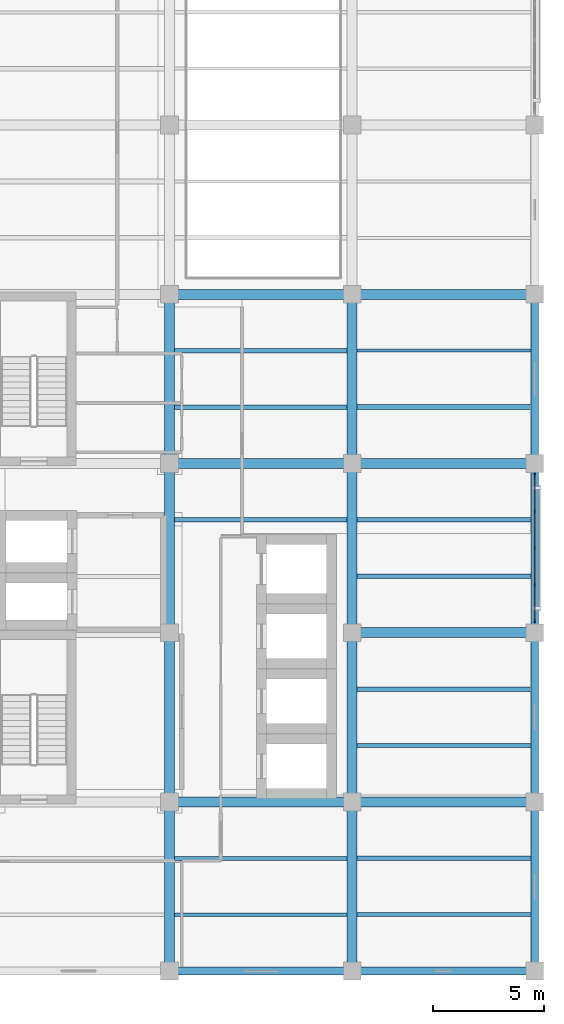
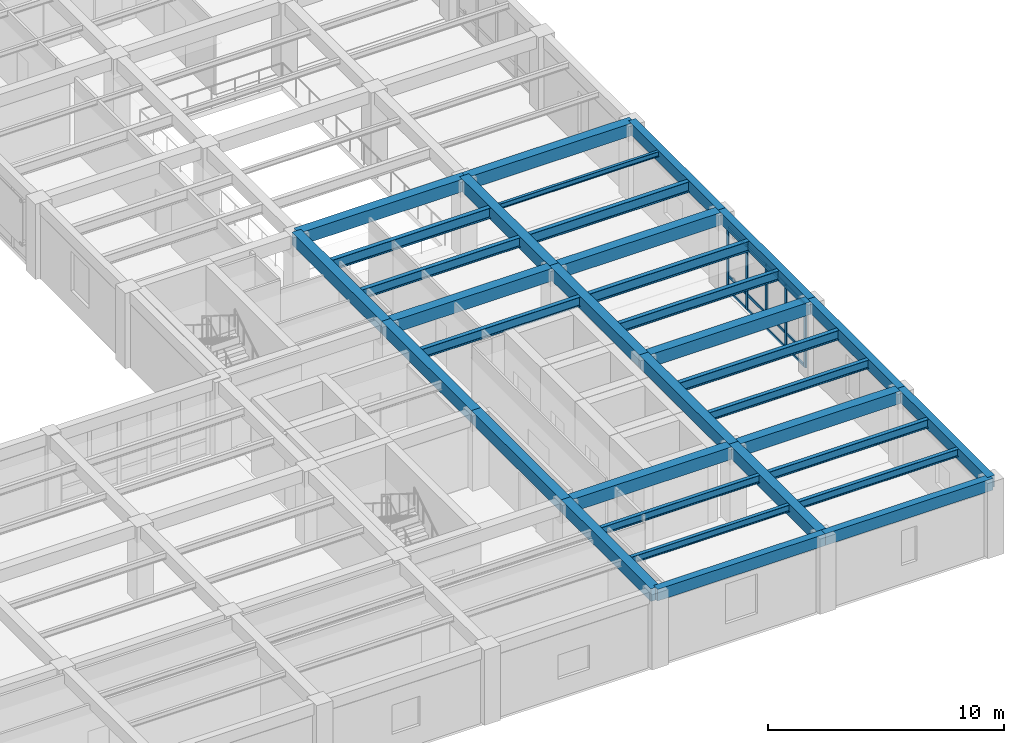
# One storey, part 3 of 15: 34 beams, 17 members, 1 element without a shape of its own.
"""IFC4 building model written with IfcOpenShell, lengths in metres."""

from ifc_helpers import new_model, si_unit, direction, frame, origin, origin_2d, place, context, subcontext, project, spatial, rectangle, i_section, extrude, material, material_profile, profile_set, type_object, element, aggregate, save


model = new_model("IFC4")

# Units and contexts
model_context = context("Model", 3, precision=1e-05, world=origin(), true_north=direction((0.0, 1.0)))
body_context = subcontext(model_context, "Body", "Model", "MODEL_VIEW")
ifc_project = project(units=[si_unit("LENGTHUNIT", "METRE"), si_unit("AREAUNIT", "SQUARE_METRE"), si_unit("VOLUMEUNIT", "CUBIC_METRE"), si_unit("PLANEANGLEUNIT", "RADIAN"), si_unit("MASSUNIT", "GRAM", prefix="KILO")], contexts=[model_context])

# Site, building, storey
site_placement = place(None, origin())
site = spatial("IfcSite", under=ifc_project, at=site_placement, CompositionType="ELEMENT")
building_placement = place(site_placement, origin())
building = spatial("IfcBuilding", under=site, at=building_placement, Name="Qandaris Square Conservatory and Botanical Centre", CompositionType="ELEMENT")
storey_placement = place(building_placement, frame((0.0, 0.0, 32.39990234375)))
storey = spatial("IfcBuildingStorey", under=building, at=storey_placement, Name="L07", CompositionType="ELEMENT", Elevation=32.39990234375)

# Beams
ifc_material_1 = material(Name="Steel S355", Category="steel")
ifc_material_profile_1 = material_profile(ifc_material_1, i_section(OverallWidth=0.18994140625, OverallDepth=0.449951171875, WebThickness=0.009521484375, FlangeThickness=0.0146484375, FilletRadius=0.02099609375, at=origin_2d()), Name="IPE 450")
ifc_profile_set_1 = profile_set([ifc_material_profile_1], Name="Steel S355")
beam_type_1 = type_object("IfcBeamType", Name="Composite Archive Joist IPE 450", PredefinedType="JOIST", material=ifc_profile_set_1)
for number, where, z_axis, x_axis, name in (
    (1, (155.824951171875, 21.666748046875, 3.655029296875), (1.0, 0.0, 0.0), (0.0, 1.0, 0.0), "L07 Composite Joist 2197"),
    (2, (155.824951171875, 26.7333984375, 3.655029296875), (1.0, 0.0, 0.0), (0.0, 1.0, 0.0), "L07 Composite Joist 2198"),
):
    element("IfcBeam", number, at=place(storey_placement, frame(where, z_axis=z_axis, x_axis=x_axis)), inside=storey, type_object=beam_type_1, Name=name, PredefinedType="JOIST", context=body_context, shape_type="SweptSolid", body=[
        extrude(i_section(OverallWidth=0.18994140625, OverallDepth=0.449951171875, WebThickness=0.009521484375, FlangeThickness=0.0146484375, FilletRadius=0.02099609375, at=origin_2d()), origin(), (0.0, 0.0, 1.0), 7.800048828125),
    ])
ifc_material_profile_2 = material_profile(ifc_material_1, i_section(OverallWidth=0.199951171875, OverallDepth=0.5, WebThickness=0.01025390625, FlangeThickness=0.01611328125, FilletRadius=0.02099609375, at=origin_2d()), Name="IPE 500")
ifc_profile_set_2 = profile_set([ifc_material_profile_2], Name="Steel S355")
beam_type_2 = type_object("IfcBeamType", Name="Composite Gallery Joist IPE 500", PredefinedType="JOIST", material=ifc_profile_set_2)
for number, where, z_axis, x_axis, name in (
    (3, (147.625, 36.86669921875, 3.630126953125), (1.0, 0.0, 0.0), (0.0, 1.0, 0.0), "L07 Composite Joist 2187"),
    (4, (147.625, 41.933349609375, 3.630126953125), (1.0, 0.0, 0.0), (0.0, 1.0, 0.0), "L07 Composite Joist 2188"),
):
    element("IfcBeam", number, at=place(storey_placement, frame(where, z_axis=z_axis, x_axis=x_axis)), inside=storey, type_object=beam_type_2, Name=name, PredefinedType="JOIST", context=body_context, shape_type="SweptSolid", body=[
        extrude(i_section(OverallWidth=0.199951171875, OverallDepth=0.5, WebThickness=0.01025390625, FlangeThickness=0.01611328125, FilletRadius=0.02099609375, at=origin_2d()), origin(), (0.0, 0.0, 1.0), 7.75),
    ])
for number, where, z_axis, x_axis, name in (
    (5, (155.824951171875, 29.2666015625, 3.630126953125), (1.0, 0.0, 0.0), (0.0, 1.0, 0.0), "L07 Composite Joist 2199"),
    (6, (155.824951171875, 34.333251953125, 3.630126953125), (1.0, 0.0, 0.0), (0.0, 1.0, 0.0), "L07 Composite Joist 2200"),
):
    element("IfcBeam", number, at=place(storey_placement, frame(where, z_axis=z_axis, x_axis=x_axis)), inside=storey, type_object=beam_type_2, Name=name, PredefinedType="JOIST", context=body_context, shape_type="SweptSolid", body=[
        extrude(i_section(OverallWidth=0.199951171875, OverallDepth=0.5, WebThickness=0.01025390625, FlangeThickness=0.01611328125, FilletRadius=0.02099609375, at=origin_2d()), origin(), (0.0, 0.0, 1.0), 7.800048828125),
    ])
ifc_material_profile_3 = material_profile(ifc_material_1, i_section(OverallWidth=0.169921875, OverallDepth=0.360107421875, WebThickness=0.008056640625, FlangeThickness=0.0126953125, FilletRadius=0.01806640625, at=origin_2d()), Name="IPE 360")
ifc_profile_set_3 = profile_set([ifc_material_profile_3], Name="Steel S355")
beam_type_3 = type_object("IfcBeamType", Name="Composite Lab Joist IPE 360", PredefinedType="JOIST", material=ifc_profile_set_3)
beam_1_placement = place(storey_placement, frame((147.625, 19.13330078125, 3.7001953125), z_axis=(1.0, 0.0, 0.0), x_axis=(0.0, 1.0, 0.0)))
element("IfcBeam", 7, at=beam_1_placement, inside=storey, type_object=beam_type_3, Name="L07 Composite Joist 2185", PredefinedType="JOIST", context=body_context, shape_type="SweptSolid", body=[
    extrude(i_section(OverallWidth=0.169921875, OverallDepth=0.360107421875, WebThickness=0.008056640625, FlangeThickness=0.0126953125, FilletRadius=0.01806640625, at=origin_2d()), origin(), (0.0, 0.0, 1.0), 7.75),
])
ifc_material_profile_4 = material_profile(ifc_material_1, i_section(OverallWidth=0.179931640625, OverallDepth=0.39990234375, WebThickness=0.008544921875, FlangeThickness=0.013427734375, FilletRadius=0.02099609375, at=origin_2d()), Name="IPE 400")
ifc_profile_set_4 = profile_set([ifc_material_profile_4], Name="Steel S355")
beam_type_4 = type_object("IfcBeamType", Name="Composite Plinth Joist IPE 400", PredefinedType="JOIST", material=ifc_profile_set_4)
beam_2_placement = place(storey_placement, frame((147.625, 21.666748046875, 3.68017578125), z_axis=(1.0, 0.0, 0.0), x_axis=(0.0, 1.0, 0.0)))
element("IfcBeam", 8, at=beam_2_placement, inside=storey, type_object=beam_type_4, Name="L07 Composite Joist 2186", PredefinedType="JOIST", context=body_context, shape_type="SweptSolid", body=[
    extrude(i_section(OverallWidth=0.179931640625, OverallDepth=0.39990234375, WebThickness=0.008544921875, FlangeThickness=0.013427734375, FilletRadius=0.02099609375, at=origin_2d()), origin(), (0.0, 0.0, 1.0), 7.75),
])
beam_3_placement = place(storey_placement, frame((155.824951171875, 19.13330078125, 3.68017578125), z_axis=(1.0, 0.0, 0.0), x_axis=(0.0, 1.0, 0.0)))
element("IfcBeam", 9, at=beam_3_placement, inside=storey, type_object=beam_type_4, Name="L07 Composite Joist 2196", PredefinedType="JOIST", context=body_context, shape_type="SweptSolid", body=[
    extrude(i_section(OverallWidth=0.179931640625, OverallDepth=0.39990234375, WebThickness=0.008544921875, FlangeThickness=0.013427734375, FilletRadius=0.02099609375, at=origin_2d()), origin(), (0.0, 0.0, 1.0), 7.800048828125),
])

# Curtain wall, members
ifc_material_2 = material(Name="Anodised Aluminium", Category="aluminium")
curtain_wall_type = type_object("IfcCurtainWallType", Name="Unitised Curtain Wall CW-4-660x329", PredefinedType="USERDEFINED", material=ifc_material_2)
curtain_wall_placement = place(storey_placement, origin())
curtain_wall = element("IfcCurtainWall", 10, at=curtain_wall_placement, inside=storey, type_object=curtain_wall_type, Name="Curtain Wall CW-TWR-L07-2-3", ObjectType="GLAZED CURTAIN WALL", PredefinedType="USERDEFINED")
ifc_material_profile_5 = material_profile(ifc_material_2, rectangle(XDim=0.06494140625, YDim=0.179931640625, at=origin_2d()), Name="ALU-MUL 65x180")
ifc_profile_set_5 = profile_set([ifc_material_profile_5], Name="Anodised Aluminium")
member_type_1 = type_object("IfcMemberType", Name="Curtain Wall Mullion 65x180", PredefinedType="MULLION", material=ifc_profile_set_5)
member_1_placement = place(storey_placement, frame((163.800048828125, 32.33251953125, 0.0), z_axis=(0.0, 0.0, 1.0), x_axis=(-1.0, 0.0, 0.0)))
member_1 = element("IfcMember", 11, at=member_1_placement, type_object=member_type_1, Name="CW-4-660x329 mullion 1", PredefinedType="MULLION", context=body_context, shape_type="SweptSolid", body=[
    extrude(rectangle(XDim=0.06494140625, YDim=0.179931640625, at=origin_2d()), origin(), (0.0, 0.0, 1.0), 3.2900390625),
])
member_2_placement = place(storey_placement, frame((163.800048828125, 33.949951171875, 0.0), z_axis=(0.0, 0.0, 1.0), x_axis=(-1.0, 0.0, 0.0)))
member_2 = element("IfcMember", 12, at=member_2_placement, type_object=member_type_1, Name="CW-4-660x329 mullion 2", PredefinedType="MULLION", context=body_context, shape_type="SweptSolid", body=[
    extrude(rectangle(XDim=0.06494140625, YDim=0.179931640625, at=origin_2d()), origin(), (0.0, 0.0, 1.0), 3.2900390625),
])
member_3_placement = place(storey_placement, frame((163.800048828125, 35.60009765625, 0.0), z_axis=(0.0, 0.0, 1.0), x_axis=(-1.0, 0.0, 0.0)))
member_3 = element("IfcMember", 13, at=member_3_placement, type_object=member_type_1, Name="CW-4-660x329 mullion 3", PredefinedType="MULLION", context=body_context, shape_type="SweptSolid", body=[
    extrude(rectangle(XDim=0.06494140625, YDim=0.179931640625, at=origin_2d()), origin(), (0.0, 0.0, 1.0), 3.2900390625),
])
member_4_placement = place(storey_placement, frame((163.800048828125, 37.25, 0.0), z_axis=(0.0, 0.0, 1.0), x_axis=(-1.0, 0.0, 0.0)))
member_4 = element("IfcMember", 14, at=member_4_placement, type_object=member_type_1, Name="CW-4-660x329 mullion 4", PredefinedType="MULLION", context=body_context, shape_type="SweptSolid", body=[
    extrude(rectangle(XDim=0.06494140625, YDim=0.179931640625, at=origin_2d()), origin(), (0.0, 0.0, 1.0), 3.2900390625),
])
member_5_placement = place(storey_placement, frame((163.800048828125, 38.867431640625, 0.0), z_axis=(0.0, 0.0, 1.0), x_axis=(-1.0, 0.0, 0.0)))
member_5 = element("IfcMember", 15, at=member_5_placement, type_object=member_type_1, Name="CW-4-660x329 mullion 5", PredefinedType="MULLION", context=body_context, shape_type="SweptSolid", body=[
    extrude(rectangle(XDim=0.06494140625, YDim=0.179931640625, at=origin_2d()), origin(), (0.0, 0.0, 1.0), 3.2900390625),
])
ifc_material_profile_6 = material_profile(ifc_material_2, rectangle(XDim=0.06494140625, YDim=0.139892578125, at=origin_2d()), Name="ALU-TRN 65x140")
ifc_profile_set_6 = profile_set([ifc_material_profile_6], Name="Anodised Aluminium")
member_type_2 = type_object("IfcMemberType", Name="Curtain Wall Transom 65x140", PredefinedType="USERDEFINED", material=ifc_profile_set_6)
member_6_placement = place(storey_placement, frame((163.800048828125, 32.364990234375, 0.03271484375), z_axis=(0.0, 1.0, 0.0), x_axis=(-1.0, 0.0, 0.0)))
member_6 = element("IfcMember", 16, at=member_6_placement, type_object=member_type_2, Name="CW-4-660x329 transom 1.1", ObjectType="TRANSOM", PredefinedType="USERDEFINED", context=body_context, shape_type="SweptSolid", body=[
    extrude(rectangle(XDim=0.06494140625, YDim=0.139892578125, at=origin_2d()), origin(), (0.0, 0.0, 1.0), 1.552490234375),
])
member_7_placement = place(storey_placement, frame((163.800048828125, 32.364990234375, 0.789794921875), z_axis=(0.0, 1.0, 0.0), x_axis=(-1.0, 0.0, 0.0)))
member_7 = element("IfcMember", 17, at=member_7_placement, type_object=member_type_2, Name="CW-4-660x329 transom 1.2", ObjectType="TRANSOM", PredefinedType="USERDEFINED", context=body_context, shape_type="SweptSolid", body=[
    extrude(rectangle(XDim=0.06494140625, YDim=0.139892578125, at=origin_2d()), origin(), (0.0, 0.0, 1.0), 1.552490234375),
])
member_8_placement = place(storey_placement, frame((163.800048828125, 32.364990234375, 3.257568359375), z_axis=(0.0, 1.0, 0.0), x_axis=(-1.0, 0.0, 0.0)))
member_8 = element("IfcMember", 18, at=member_8_placement, type_object=member_type_2, Name="CW-4-660x329 transom 1.3", ObjectType="TRANSOM", PredefinedType="USERDEFINED", context=body_context, shape_type="SweptSolid", body=[
    extrude(rectangle(XDim=0.06494140625, YDim=0.139892578125, at=origin_2d()), origin(), (0.0, 0.0, 1.0), 1.552490234375),
])
member_9_placement = place(storey_placement, frame((163.800048828125, 33.982421875, 0.03271484375), z_axis=(0.0, 1.0, 0.0), x_axis=(-1.0, 0.0, 0.0)))
member_9 = element("IfcMember", 19, at=member_9_placement, type_object=member_type_2, Name="CW-4-660x329 transom 2.1", ObjectType="TRANSOM", PredefinedType="USERDEFINED", context=body_context, shape_type="SweptSolid", body=[
    extrude(rectangle(XDim=0.06494140625, YDim=0.139892578125, at=origin_2d()), origin(), (0.0, 0.0, 1.0), 1.5849609375),
])
member_10_placement = place(storey_placement, frame((163.800048828125, 33.982421875, 0.789794921875), z_axis=(0.0, 1.0, 0.0), x_axis=(-1.0, 0.0, 0.0)))
member_10 = element("IfcMember", 20, at=member_10_placement, type_object=member_type_2, Name="CW-4-660x329 transom 2.2", ObjectType="TRANSOM", PredefinedType="USERDEFINED", context=body_context, shape_type="SweptSolid", body=[
    extrude(rectangle(XDim=0.06494140625, YDim=0.139892578125, at=origin_2d()), origin(), (0.0, 0.0, 1.0), 1.5849609375),
])
member_11_placement = place(storey_placement, frame((163.800048828125, 33.982421875, 3.257568359375), z_axis=(0.0, 1.0, 0.0), x_axis=(-1.0, 0.0, 0.0)))
member_11 = element("IfcMember", 21, at=member_11_placement, type_object=member_type_2, Name="CW-4-660x329 transom 2.3", ObjectType="TRANSOM", PredefinedType="USERDEFINED", context=body_context, shape_type="SweptSolid", body=[
    extrude(rectangle(XDim=0.06494140625, YDim=0.139892578125, at=origin_2d()), origin(), (0.0, 0.0, 1.0), 1.5849609375),
])
member_12_placement = place(storey_placement, frame((163.800048828125, 35.632568359375, 0.03271484375), z_axis=(0.0, 1.0, 0.0), x_axis=(-1.0, 0.0, 0.0)))
member_12 = element("IfcMember", 22, at=member_12_placement, type_object=member_type_2, Name="CW-4-660x329 transom 3.1", ObjectType="TRANSOM", PredefinedType="USERDEFINED", context=body_context, shape_type="SweptSolid", body=[
    extrude(rectangle(XDim=0.06494140625, YDim=0.139892578125, at=origin_2d()), origin(), (0.0, 0.0, 1.0), 1.5849609375),
])
member_13_placement = place(storey_placement, frame((163.800048828125, 35.632568359375, 0.789794921875), z_axis=(0.0, 1.0, 0.0), x_axis=(-1.0, 0.0, 0.0)))
member_13 = element("IfcMember", 23, at=member_13_placement, type_object=member_type_2, Name="CW-4-660x329 transom 3.2", ObjectType="TRANSOM", PredefinedType="USERDEFINED", context=body_context, shape_type="SweptSolid", body=[
    extrude(rectangle(XDim=0.06494140625, YDim=0.139892578125, at=origin_2d()), origin(), (0.0, 0.0, 1.0), 1.5849609375),
])
member_14_placement = place(storey_placement, frame((163.800048828125, 35.632568359375, 3.257568359375), z_axis=(0.0, 1.0, 0.0), x_axis=(-1.0, 0.0, 0.0)))
member_14 = element("IfcMember", 24, at=member_14_placement, type_object=member_type_2, Name="CW-4-660x329 transom 3.3", ObjectType="TRANSOM", PredefinedType="USERDEFINED", context=body_context, shape_type="SweptSolid", body=[
    extrude(rectangle(XDim=0.06494140625, YDim=0.139892578125, at=origin_2d()), origin(), (0.0, 0.0, 1.0), 1.5849609375),
])
member_15_placement = place(storey_placement, frame((163.800048828125, 37.282470703125, 0.03271484375), z_axis=(0.0, 1.0, 0.0), x_axis=(-1.0, 0.0, 0.0)))
member_15 = element("IfcMember", 25, at=member_15_placement, type_object=member_type_2, Name="CW-4-660x329 transom 4.1", ObjectType="TRANSOM", PredefinedType="USERDEFINED", context=body_context, shape_type="SweptSolid", body=[
    extrude(rectangle(XDim=0.06494140625, YDim=0.139892578125, at=origin_2d()), origin(), (0.0, 0.0, 1.0), 1.552490234375),
])
member_16_placement = place(storey_placement, frame((163.800048828125, 37.282470703125, 0.789794921875), z_axis=(0.0, 1.0, 0.0), x_axis=(-1.0, 0.0, 0.0)))
member_16 = element("IfcMember", 26, at=member_16_placement, type_object=member_type_2, Name="CW-4-660x329 transom 4.2", ObjectType="TRANSOM", PredefinedType="USERDEFINED", context=body_context, shape_type="SweptSolid", body=[
    extrude(rectangle(XDim=0.06494140625, YDim=0.139892578125, at=origin_2d()), origin(), (0.0, 0.0, 1.0), 1.552490234375),
])
member_17_placement = place(storey_placement, frame((163.800048828125, 37.282470703125, 3.257568359375), z_axis=(0.0, 1.0, 0.0), x_axis=(-1.0, 0.0, 0.0)))
member_17 = element("IfcMember", 27, at=member_17_placement, type_object=member_type_2, Name="CW-4-660x329 transom 4.3", ObjectType="TRANSOM", PredefinedType="USERDEFINED", context=body_context, shape_type="SweptSolid", body=[
    extrude(rectangle(XDim=0.06494140625, YDim=0.139892578125, at=origin_2d()), origin(), (0.0, 0.0, 1.0), 1.552490234375),
])
aggregate(curtain_wall, [member_1, member_2, member_3, member_4, member_5, member_6, member_7, member_8, member_9, member_10, member_11, member_12, member_13, member_14, member_15, member_16, member_17])

# Beams
ifc_material_profile_7 = material_profile(ifc_material_1, i_section(OverallWidth=0.2099609375, OverallDepth=0.550048828125, WebThickness=0.010986328125, FlangeThickness=0.01708984375, FilletRadius=0.02392578125, at=origin_2d()), Name="IPE 550")
ifc_profile_set_7 = profile_set([ifc_material_profile_7], Name="Steel S355")
beam_type_5 = type_object("IfcBeamType", Name="Long-Span Foyer Joist IPE 550", PredefinedType="JOIST", material=ifc_profile_set_7)
beam_4_placement = place(storey_placement, frame((147.625, 44.466796875, 3.60498046875), z_axis=(1.0, 0.0, 0.0), x_axis=(0.0, 1.0, 0.0)))
element("IfcBeam", 28, at=beam_4_placement, inside=storey, type_object=beam_type_5, Name="L07 Composite Joist 2189", PredefinedType="JOIST", context=body_context, shape_type="SweptSolid", body=[
    extrude(i_section(OverallWidth=0.2099609375, OverallDepth=0.550048828125, WebThickness=0.010986328125, FlangeThickness=0.01708984375, FilletRadius=0.02392578125, at=origin_2d()), origin(), (0.0, 0.0, 1.0), 7.75),
])
for number, where, z_axis, x_axis, name in (
    (29, (155.824951171875, 36.86669921875, 3.60498046875), (1.0, 0.0, 0.0), (0.0, 1.0, 0.0), "L07 Composite Joist 2201"),
    (30, (155.824951171875, 41.933349609375, 3.60498046875), (1.0, 0.0, 0.0), (0.0, 1.0, 0.0), "L07 Composite Joist 2202"),
):
    element("IfcBeam", number, at=place(storey_placement, frame(where, z_axis=z_axis, x_axis=x_axis)), inside=storey, type_object=beam_type_5, Name=name, PredefinedType="JOIST", context=body_context, shape_type="SweptSolid", body=[
        extrude(i_section(OverallWidth=0.2099609375, OverallDepth=0.550048828125, WebThickness=0.010986328125, FlangeThickness=0.01708984375, FilletRadius=0.02392578125, at=origin_2d()), origin(), (0.0, 0.0, 1.0), 7.800048828125),
    ])
ifc_material_3 = material(Name="Concrete C50/60", Category="concrete")
ifc_material_profile_8 = material_profile(ifc_material_3, rectangle(XDim=0.35009765625, YDim=0.60009765625, at=origin_2d()), Name="RC-SP 350x600")
ifc_profile_set_8 = profile_set([ifc_material_profile_8], Name="Concrete C50/60")
beam_type_6 = type_object("IfcBeamType", Name="RC Edge Spandrel Beam 350x600", PredefinedType="SPANDREL", material=ifc_profile_set_8)
beam_5_placement = place(storey_placement, frame((147.39990234375, 16.60009765625, 3.590087890625), z_axis=(1.0, 0.0, 0.0), x_axis=(0.0, 1.0, 0.0)))
element("IfcBeam", 31, at=beam_5_placement, inside=storey, type_object=beam_type_6, Name="L07 Frame Beam 2090", PredefinedType="SPANDREL", context=body_context, shape_type="SweptSolid", body=[
    extrude(rectangle(XDim=0.35009765625, YDim=0.60009765625, at=origin_2d()), origin(), (0.0, 0.0, 1.0), 8.2001953125),
])
beam_6_placement = place(storey_placement, frame((155.60009765625, 16.60009765625, 3.590087890625), z_axis=(1.0, 0.0, 0.0), x_axis=(0.0, 1.0, 0.0)))
element("IfcBeam", 32, at=beam_6_placement, inside=storey, type_object=beam_type_6, Name="L07 Frame Beam 2091", PredefinedType="SPANDREL", context=body_context, shape_type="SweptSolid", body=[
    extrude(rectangle(XDim=0.35009765625, YDim=0.60009765625, at=origin_2d()), origin(), (0.0, 0.0, 1.0), 8.199951171875),
])
beam_7_placement = place(storey_placement, frame((163.800048828125, 16.60009765625, 3.590087890625), z_axis=(0.0, 1.0, 0.0), x_axis=(-1.0, 0.0, 0.0)))
element("IfcBeam", 33, at=beam_7_placement, inside=storey, type_object=beam_type_6, Name="L07 Frame Beam 2156", PredefinedType="SPANDREL", context=body_context, shape_type="SweptSolid", body=[
    extrude(rectangle(XDim=0.35009765625, YDim=0.60009765625, at=origin_2d()), origin(), (0.0, 0.0, 1.0), 7.599853515625),
])
beam_8_placement = place(storey_placement, frame((163.800048828125, 24.199951171875, 3.590087890625), z_axis=(0.0, 1.0, 0.0), x_axis=(-1.0, 0.0, 0.0)))
element("IfcBeam", 34, at=beam_8_placement, inside=storey, type_object=beam_type_6, Name="L07 Frame Beam 2157", PredefinedType="SPANDREL", context=body_context, shape_type="SweptSolid", body=[
    extrude(rectangle(XDim=0.35009765625, YDim=0.60009765625, at=origin_2d()), origin(), (0.0, 0.0, 1.0), 7.60009765625),
])
beam_9_placement = place(storey_placement, frame((163.800048828125, 31.800048828125, 3.590087890625), z_axis=(0.0, 1.0, 0.0), x_axis=(-1.0, 0.0, 0.0)))
element("IfcBeam", 35, at=beam_9_placement, inside=storey, type_object=beam_type_6, Name="L07 Frame Beam 2158", PredefinedType="SPANDREL", context=body_context, shape_type="SweptSolid", body=[
    extrude(rectangle(XDim=0.35009765625, YDim=0.60009765625, at=origin_2d()), origin(), (0.0, 0.0, 1.0), 7.599853515625),
])
beam_10_placement = place(storey_placement, frame((163.800048828125, 39.39990234375, 3.590087890625), z_axis=(0.0, 1.0, 0.0), x_axis=(-1.0, 0.0, 0.0)))
element("IfcBeam", 36, at=beam_10_placement, inside=storey, type_object=beam_type_6, Name="L07 Frame Beam 2159", PredefinedType="SPANDREL", context=body_context, shape_type="SweptSolid", body=[
    extrude(rectangle(XDim=0.35009765625, YDim=0.60009765625, at=origin_2d()), origin(), (0.0, 0.0, 1.0), 7.60009765625),
])
ifc_material_profile_9 = material_profile(ifc_material_3, rectangle(XDim=0.449951171875, YDim=0.64990234375, at=origin_2d()), Name="RC-BM 450x650")
ifc_profile_set_9 = profile_set([ifc_material_profile_9], Name="Concrete C50/60")
beam_type_7 = type_object("IfcBeamType", Name="RC Floor Girder 450x650", PredefinedType="BEAM", material=ifc_profile_set_9)
beam_11_placement = place(storey_placement, frame((147.39990234375, 24.199951171875, 3.565185546875), z_axis=(1.0, 0.0, 0.0), x_axis=(0.0, 1.0, 0.0)))
element("IfcBeam", 37, at=beam_11_placement, inside=storey, type_object=beam_type_7, Name="L07 Frame Beam 2096", PredefinedType="BEAM", context=body_context, shape_type="SweptSolid", body=[
    extrude(rectangle(XDim=0.449951171875, YDim=0.64990234375, at=origin_2d()), origin(), (0.0, 0.0, 1.0), 8.2001953125),
])
for number, where, z_axis, x_axis, name in (
    (38, (155.60009765625, 24.199951171875, 3.565185546875), (1.0, 0.0, 0.0), (0.0, 1.0, 0.0), "L07 Frame Beam 2097"),
    (39, (155.60009765625, 31.800048828125, 3.565185546875), (1.0, 0.0, 0.0), (0.0, 1.0, 0.0), "L07 Frame Beam 2102"),
):
    element("IfcBeam", number, at=place(storey_placement, frame(where, z_axis=z_axis, x_axis=x_axis)), inside=storey, type_object=beam_type_7, Name=name, PredefinedType="BEAM", context=body_context, shape_type="SweptSolid", body=[
        extrude(rectangle(XDim=0.449951171875, YDim=0.64990234375, at=origin_2d()), origin(), (0.0, 0.0, 1.0), 8.199951171875),
    ])
beam_12_placement = place(storey_placement, frame((147.39990234375, 39.39990234375, 3.565185546875), z_axis=(1.0, 0.0, 0.0), x_axis=(0.0, 1.0, 0.0)))
element("IfcBeam", 40, at=beam_12_placement, inside=storey, type_object=beam_type_7, Name="L07 Frame Beam 2107", PredefinedType="BEAM", context=body_context, shape_type="SweptSolid", body=[
    extrude(rectangle(XDim=0.449951171875, YDim=0.64990234375, at=origin_2d()), origin(), (0.0, 0.0, 1.0), 8.2001953125),
])
beam_13_placement = place(storey_placement, frame((155.60009765625, 39.39990234375, 3.565185546875), z_axis=(1.0, 0.0, 0.0), x_axis=(0.0, 1.0, 0.0)))
element("IfcBeam", 41, at=beam_13_placement, inside=storey, type_object=beam_type_7, Name="L07 Frame Beam 2108", PredefinedType="BEAM", context=body_context, shape_type="SweptSolid", body=[
    extrude(rectangle(XDim=0.449951171875, YDim=0.64990234375, at=origin_2d()), origin(), (0.0, 0.0, 1.0), 8.199951171875),
])
beam_14_placement = place(storey_placement, frame((147.39990234375, 47.0, 3.565185546875), z_axis=(1.0, 0.0, 0.0), x_axis=(0.0, 1.0, 0.0)))
element("IfcBeam", 42, at=beam_14_placement, inside=storey, type_object=beam_type_7, Name="L07 Frame Beam 2110", PredefinedType="BEAM", context=body_context, shape_type="SweptSolid", body=[
    extrude(rectangle(XDim=0.449951171875, YDim=0.64990234375, at=origin_2d()), origin(), (0.0, 0.0, 1.0), 8.2001953125),
])
beam_15_placement = place(storey_placement, frame((155.60009765625, 47.0, 3.565185546875), z_axis=(1.0, 0.0, 0.0), x_axis=(0.0, 1.0, 0.0)))
element("IfcBeam", 43, at=beam_15_placement, inside=storey, type_object=beam_type_7, Name="L07 Frame Beam 2111", PredefinedType="BEAM", context=body_context, shape_type="SweptSolid", body=[
    extrude(rectangle(XDim=0.449951171875, YDim=0.64990234375, at=origin_2d()), origin(), (0.0, 0.0, 1.0), 8.199951171875),
])
beam_16_placement = place(storey_placement, frame((147.39990234375, 16.60009765625, 3.565185546875), z_axis=(0.0, 1.0, 0.0), x_axis=(-1.0, 0.0, 0.0)))
element("IfcBeam", 44, at=beam_16_placement, inside=storey, type_object=beam_type_7, Name="L07 Frame Beam 2140", PredefinedType="BEAM", context=body_context, shape_type="SweptSolid", body=[
    extrude(rectangle(XDim=0.449951171875, YDim=0.64990234375, at=origin_2d()), origin(), (0.0, 0.0, 1.0), 7.599853515625),
])
beam_17_placement = place(storey_placement, frame((147.39990234375, 24.199951171875, 3.565185546875), z_axis=(0.0, 1.0, 0.0), x_axis=(-1.0, 0.0, 0.0)))
element("IfcBeam", 45, at=beam_17_placement, inside=storey, type_object=beam_type_7, Name="L07 Frame Beam 2141", PredefinedType="BEAM", context=body_context, shape_type="SweptSolid", body=[
    extrude(rectangle(XDim=0.449951171875, YDim=0.64990234375, at=origin_2d()), origin(), (0.0, 0.0, 1.0), 7.60009765625),
])
beam_18_placement = place(storey_placement, frame((147.39990234375, 31.800048828125, 3.565185546875), z_axis=(0.0, 1.0, 0.0), x_axis=(-1.0, 0.0, 0.0)))
element("IfcBeam", 46, at=beam_18_placement, inside=storey, type_object=beam_type_7, Name="L07 Frame Beam 2142", PredefinedType="BEAM", context=body_context, shape_type="SweptSolid", body=[
    extrude(rectangle(XDim=0.449951171875, YDim=0.64990234375, at=origin_2d()), origin(), (0.0, 0.0, 1.0), 7.599853515625),
])
beam_19_placement = place(storey_placement, frame((147.39990234375, 39.39990234375, 3.565185546875), z_axis=(0.0, 1.0, 0.0), x_axis=(-1.0, 0.0, 0.0)))
element("IfcBeam", 47, at=beam_19_placement, inside=storey, type_object=beam_type_7, Name="L07 Frame Beam 2143", PredefinedType="BEAM", context=body_context, shape_type="SweptSolid", body=[
    extrude(rectangle(XDim=0.449951171875, YDim=0.64990234375, at=origin_2d()), origin(), (0.0, 0.0, 1.0), 7.60009765625),
])
beam_20_placement = place(storey_placement, frame((155.60009765625, 16.60009765625, 3.565185546875), z_axis=(0.0, 1.0, 0.0), x_axis=(-1.0, 0.0, 0.0)))
element("IfcBeam", 48, at=beam_20_placement, inside=storey, type_object=beam_type_7, Name="L07 Frame Beam 2148", PredefinedType="BEAM", context=body_context, shape_type="SweptSolid", body=[
    extrude(rectangle(XDim=0.449951171875, YDim=0.64990234375, at=origin_2d()), origin(), (0.0, 0.0, 1.0), 7.599853515625),
])
beam_21_placement = place(storey_placement, frame((155.60009765625, 24.199951171875, 3.565185546875), z_axis=(0.0, 1.0, 0.0), x_axis=(-1.0, 0.0, 0.0)))
element("IfcBeam", 49, at=beam_21_placement, inside=storey, type_object=beam_type_7, Name="L07 Frame Beam 2149", PredefinedType="BEAM", context=body_context, shape_type="SweptSolid", body=[
    extrude(rectangle(XDim=0.449951171875, YDim=0.64990234375, at=origin_2d()), origin(), (0.0, 0.0, 1.0), 7.60009765625),
])
beam_22_placement = place(storey_placement, frame((155.60009765625, 31.800048828125, 3.565185546875), z_axis=(0.0, 1.0, 0.0), x_axis=(-1.0, 0.0, 0.0)))
element("IfcBeam", 50, at=beam_22_placement, inside=storey, type_object=beam_type_7, Name="L07 Frame Beam 2150", PredefinedType="BEAM", context=body_context, shape_type="SweptSolid", body=[
    extrude(rectangle(XDim=0.449951171875, YDim=0.64990234375, at=origin_2d()), origin(), (0.0, 0.0, 1.0), 7.599853515625),
])
beam_23_placement = place(storey_placement, frame((155.60009765625, 39.39990234375, 3.565185546875), z_axis=(0.0, 1.0, 0.0), x_axis=(-1.0, 0.0, 0.0)))
element("IfcBeam", 51, at=beam_23_placement, inside=storey, type_object=beam_type_7, Name="L07 Frame Beam 2151", PredefinedType="BEAM", context=body_context, shape_type="SweptSolid", body=[
    extrude(rectangle(XDim=0.449951171875, YDim=0.64990234375, at=origin_2d()), origin(), (0.0, 0.0, 1.0), 7.60009765625),
])
ifc_material_profile_10 = material_profile(ifc_material_1, i_section(OverallWidth=0.135009765625, OverallDepth=0.27001953125, WebThickness=0.006591796875, FlangeThickness=0.01025390625, FilletRadius=0.014892578125, at=origin_2d()), Name="IPE 270")
ifc_profile_set_10 = profile_set([ifc_material_profile_10], Name="Steel S355")
beam_type_8 = type_object("IfcBeamType", Name="Steel Floor Joist IPE 270", PredefinedType="JOIST", material=ifc_profile_set_10)
beam_24_placement = place(storey_placement, frame((155.824951171875, 44.466796875, 3.7451171875), z_axis=(1.0, 0.0, 0.0), x_axis=(0.0, 1.0, 0.0)))
element("IfcBeam", 52, at=beam_24_placement, inside=storey, type_object=beam_type_8, Name="L07 Composite Joist 2203", PredefinedType="JOIST", context=body_context, shape_type="SweptSolid", body=[
    extrude(i_section(OverallWidth=0.135009765625, OverallDepth=0.27001953125, WebThickness=0.006591796875, FlangeThickness=0.01025390625, FilletRadius=0.014892578125, at=origin_2d()), origin(), (0.0, 0.0, 1.0), 7.800048828125),
])

save(model, "model.ifc")
